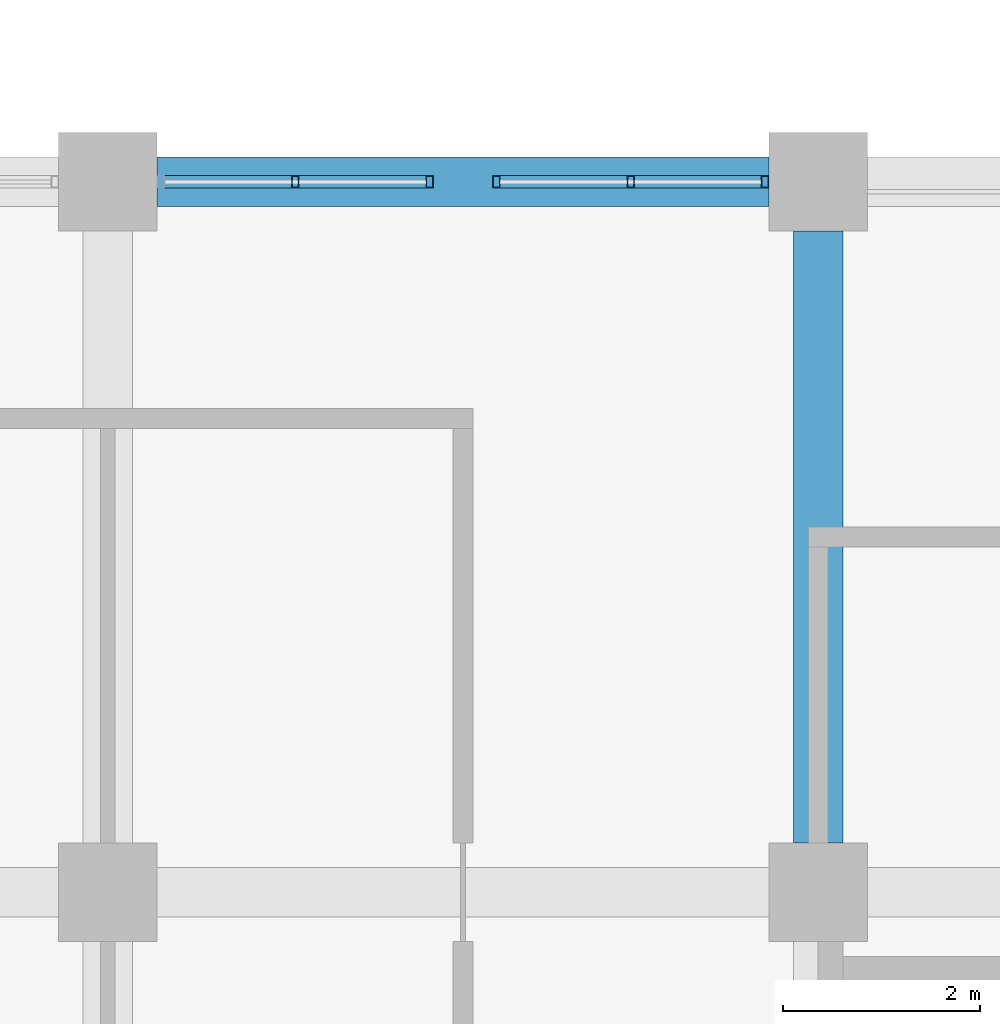
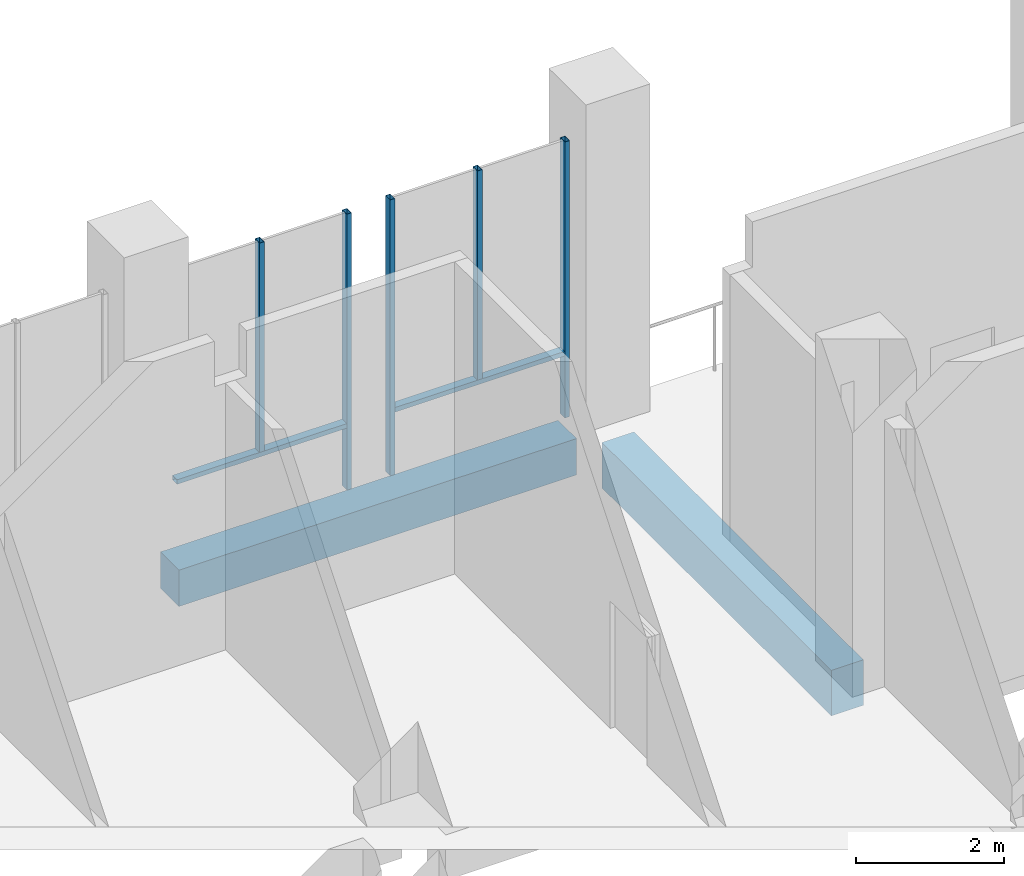
# One storey, part 7 of 83: 7 members, 2 beams, 2 elements without a shape of their own.
"""IFC4 building model written with IfcOpenShell, lengths in metres."""

from ifc_helpers import new_model, si_unit, direction, frame, origin, origin_2d, place, context, subcontext, project, spatial, rectangle, hollow_rectangle, extrude, material, material_profile, profile_set, type_object, element, aggregate, save


model = new_model("IFC4")

# Units and contexts
model_context = context("Model", 3, precision=1e-05, world=origin(), true_north=direction((0.0, 1.0)))
body_context = subcontext(model_context, "Body", "Model", "MODEL_VIEW")
ifc_project = project(units=[si_unit("LENGTHUNIT", "METRE"), si_unit("AREAUNIT", "SQUARE_METRE"), si_unit("VOLUMEUNIT", "CUBIC_METRE"), si_unit("PLANEANGLEUNIT", "RADIAN"), si_unit("MASSUNIT", "GRAM", prefix="KILO")], contexts=[model_context])

# Site, building, storey
site_placement = place(None, origin())
site = spatial("IfcSite", under=ifc_project, at=site_placement, CompositionType="ELEMENT")
building_placement = place(site_placement, origin())
building = spatial("IfcBuilding", under=site, at=building_placement, Name="Silangan Lancet Faculty of Sciences", CompositionType="ELEMENT")
storey_placement = place(building_placement, frame((0.0, 0.0, 11.39990234375)))
storey = spatial("IfcBuildingStorey", under=building, at=storey_placement, Name="L02", CompositionType="ELEMENT", Elevation=11.39990234375)

# Beams
ifc_material_1 = material(Name="Concrete C40/50", Category="concrete")
ifc_material_profile_1 = material_profile(ifc_material_1, rectangle(XDim=0.5, YDim=0.60009765625, at=origin_2d()), Name="RC 500x600")
ifc_profile_set_1 = profile_set([ifc_material_profile_1], Name="Concrete C40/50")
beam_type_1 = type_object("IfcBeamType", Name="BEAM RC 500x600", PredefinedType="BEAM", material=ifc_profile_set_1)
beam_1_placement = place(storey_placement, frame((14.89990234375, 21.60009765625, -0.5498046875), z_axis=(1.0, 0.0, 0.0), x_axis=(0.0, 1.0, 0.0)))
element("IfcBeam", 1, at=beam_1_placement, inside=storey, type_object=beam_type_1, Name="BM-L02-3D-4D", PredefinedType="BEAM", context=body_context, shape_type="SweptSolid", body=[
    extrude(rectangle(XDim=0.5, YDim=0.60009765625, at=origin_2d()), origin(), (0.0, 0.0, 1.0), 6.2001953125),
])
ifc_material_2 = material(Name="Concrete C40/50", Category="concrete")
ifc_material_profile_2 = material_profile(ifc_material_2, rectangle(XDim=0.5, YDim=0.75, at=origin_2d()), Name="RC 500x750")
ifc_profile_set_2 = profile_set([ifc_material_profile_2], Name="Concrete C40/50")
beam_type_2 = type_object("IfcBeamType", Name="BEAM RC 500x750", PredefinedType="BEAM", material=ifc_profile_set_2)
beam_2_placement = place(storey_placement, frame((21.60009765625, 14.89990234375, -0.625), z_axis=(0.0, 1.0, 0.0), x_axis=(-1.0, 0.0, 0.0)))
element("IfcBeam", 2, at=beam_2_placement, inside=storey, type_object=beam_type_2, Name="BM-L02-4C-4D", PredefinedType="BEAM", context=body_context, shape_type="SweptSolid", body=[
    extrude(rectangle(XDim=0.5, YDim=0.75, at=origin_2d()), origin(), (0.0, 0.0, 1.0), 6.2001953125),
])

# Curtain wall, members
ifc_material_3 = material(Name="Aluminium framed curtain wall with insulated glass", Category="aluminium")
curtain_wall_type = type_object("IfcCurtainWallType", Name="CW2 Atrium fire-resisting screen", PredefinedType="NOTDEFINED", material=ifc_material_3)
curtain_wall_1_placement = place(storey_placement, origin())
curtain_wall_1 = element("IfcCurtainWall", 3, at=curtain_wall_1_placement, inside=storey, type_object=curtain_wall_type, Name="CW2 Atrium south L02 bay 1", PredefinedType="NOTDEFINED")
ifc_material_4 = material(Name="Steel S355J2H", Category="steel")
ifc_material_profile_3 = material_profile(ifc_material_4, hollow_rectangle(XDim=0.074951171875, YDim=0.125, WallThickness=0.0048828125, at=origin_2d()), Name="ST BOX 75x125x5")
ifc_profile_set_3 = profile_set([ifc_material_profile_3], Name="Steel S355J2H")
member_type_1 = type_object("IfcMemberType", Name="CM2 Mullion 75x125", PredefinedType="MULLION", material=ifc_profile_set_3)
member_1_placement = place(storey_placement, frame((21.0625, 21.60009765625, 0.0), z_axis=(0.0, 0.0, 1.0), x_axis=(-1.0, 0.0, 0.0)))
member_1 = element("IfcMember", 4, at=member_1_placement, type_object=member_type_1, Name="CW2 Atrium south L02 bay 1 mullion 1", PredefinedType="MULLION", context=body_context, shape_type="SweptSolid", body=[
    extrude(hollow_rectangle(XDim=0.074951171875, YDim=0.125, WallThickness=0.0048828125, at=origin_2d()), origin(), (0.0, 0.0, 1.0), 4.550048828125),
])
member_2_placement = place(storey_placement, frame((18.33740234375, 21.60009765625, 0.0), z_axis=(0.0, 0.0, 1.0), x_axis=(-1.0, 0.0, 0.0)))
member_2 = element("IfcMember", 5, at=member_2_placement, type_object=member_type_1, Name="CW2 Atrium south L02 bay 1 mullion 2", PredefinedType="MULLION", context=body_context, shape_type="SweptSolid", body=[
    extrude(hollow_rectangle(XDim=0.074951171875, YDim=0.125, WallThickness=0.0048828125, at=origin_2d()), origin(), (0.0, 0.0, 1.0), 4.550048828125),
])
member_3_placement = place(storey_placement, frame((19.699951171875, 21.60009765625, 1.10009765625), z_axis=(0.0, 0.0, 1.0), x_axis=(-1.0, 0.0, 0.0)))
member_3 = element("IfcMember", 6, at=member_3_placement, type_object=member_type_1, Name="CW2 Atrium south L02 bay 1 mullion 3", PredefinedType="MULLION", context=body_context, shape_type="SweptSolid", body=[
    extrude(hollow_rectangle(XDim=0.074951171875, YDim=0.125, WallThickness=0.0048828125, at=origin_2d()), origin(), (0.0, 0.0, 1.0), 3.449951171875),
])

curtain_wall_2_placement = place(storey_placement, origin())
curtain_wall_2 = element("IfcCurtainWall", 7, at=curtain_wall_2_placement, inside=storey, type_object=curtain_wall_type, Name="CW2 Atrium south L02 bay 2", PredefinedType="NOTDEFINED")
member_4_placement = place(storey_placement, frame((17.66259765625, 21.60009765625, 0.0), z_axis=(0.0, 0.0, 1.0), x_axis=(-1.0, 0.0, 0.0)))
member_4 = element("IfcMember", 8, at=member_4_placement, type_object=member_type_1, Name="CW2 Atrium south L02 bay 2 mullion 1", PredefinedType="MULLION", context=body_context, shape_type="SweptSolid", body=[
    extrude(hollow_rectangle(XDim=0.074951171875, YDim=0.125, WallThickness=0.0048828125, at=origin_2d()), origin(), (0.0, 0.0, 1.0), 4.550048828125),
])
member_5_placement = place(storey_placement, frame((16.300048828125, 21.60009765625, 1.10009765625), z_axis=(0.0, 0.0, 1.0), x_axis=(-1.0, 0.0, 0.0)))
member_5 = element("IfcMember", 9, at=member_5_placement, type_object=member_type_1, Name="CW2 Atrium south L02 bay 2 mullion 3", PredefinedType="MULLION", context=body_context, shape_type="SweptSolid", body=[
    extrude(hollow_rectangle(XDim=0.074951171875, YDim=0.125, WallThickness=0.0048828125, at=origin_2d()), origin(), (0.0, 0.0, 1.0), 3.449951171875),
])

# Member
ifc_material_5 = material(Name="Steel S355J2H", Category="steel")
ifc_material_profile_4 = material_profile(ifc_material_5, hollow_rectangle(XDim=0.125, YDim=0.074951171875, WallThickness=0.0048828125, at=origin_2d()), Name="ST BOX 125x75x5")
ifc_profile_set_4 = profile_set([ifc_material_profile_4], Name="Steel S355J2H")
member_type_2 = type_object("IfcMemberType", Name="CT2 Transom 125x75", PredefinedType="USERDEFINED", material=ifc_profile_set_4)
member_6_placement = place(storey_placement, frame((21.02490234375, 21.60009765625, 1.0625), z_axis=(-1.0, 0.0, 0.0), x_axis=(0.0, -1.0, 0.0)))
member_6 = element("IfcMember", 10, at=member_6_placement, type_object=member_type_2, Name="CW2 Atrium south L02 bay 1 transom 1", ObjectType="TRANSOM", PredefinedType="USERDEFINED", context=body_context, shape_type="SweptSolid", body=[
    extrude(hollow_rectangle(XDim=0.125, YDim=0.074951171875, WallThickness=0.0048828125, at=origin_2d()), origin(), (0.0, 0.0, 1.0), 2.64990234375),
])

aggregate(curtain_wall_1, [member_1, member_2, member_3, member_6])

member_7_placement = place(storey_placement, frame((17.625, 21.60009765625, 1.0625), z_axis=(-1.0, 0.0, 0.0), x_axis=(0.0, -1.0, 0.0)))
member_7 = element("IfcMember", 11, at=member_7_placement, type_object=member_type_2, Name="CW2 Atrium south L02 bay 2 transom 1", ObjectType="TRANSOM", PredefinedType="USERDEFINED", context=body_context, shape_type="SweptSolid", body=[
    extrude(hollow_rectangle(XDim=0.125, YDim=0.074951171875, WallThickness=0.0048828125, at=origin_2d()), origin(), (0.0, 0.0, 1.0), 2.64990234375),
])

aggregate(curtain_wall_2, [member_4, member_5, member_7])

save(model, "model.ifc")
